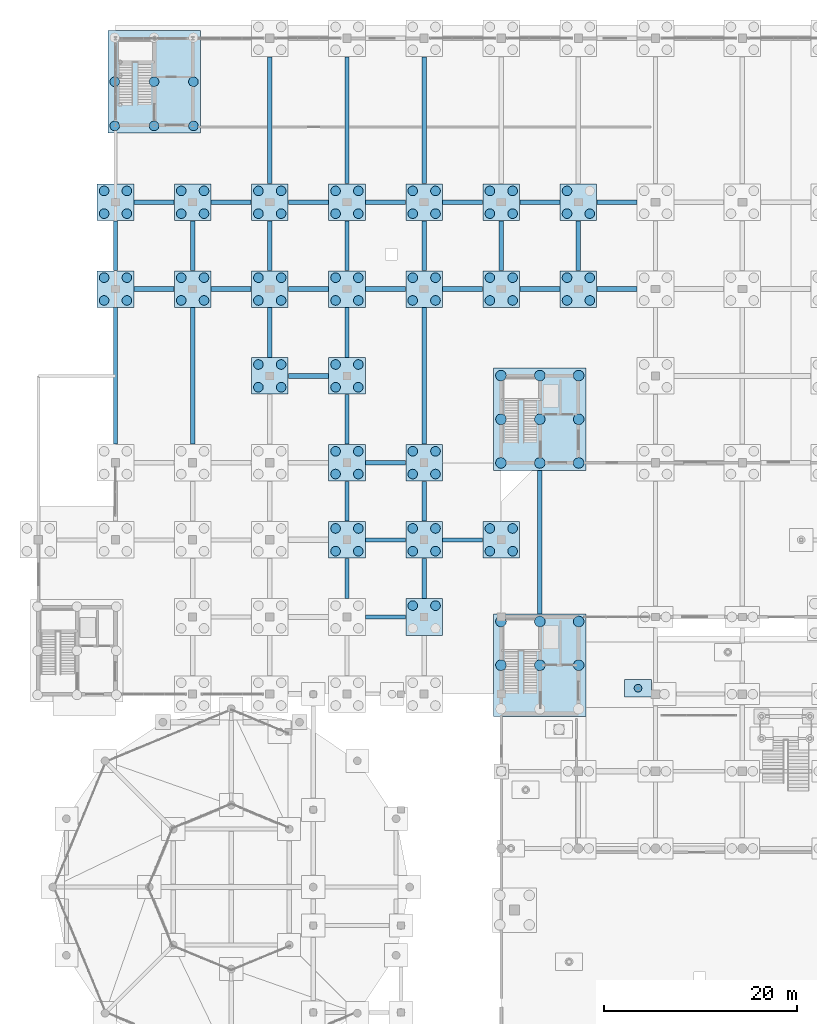
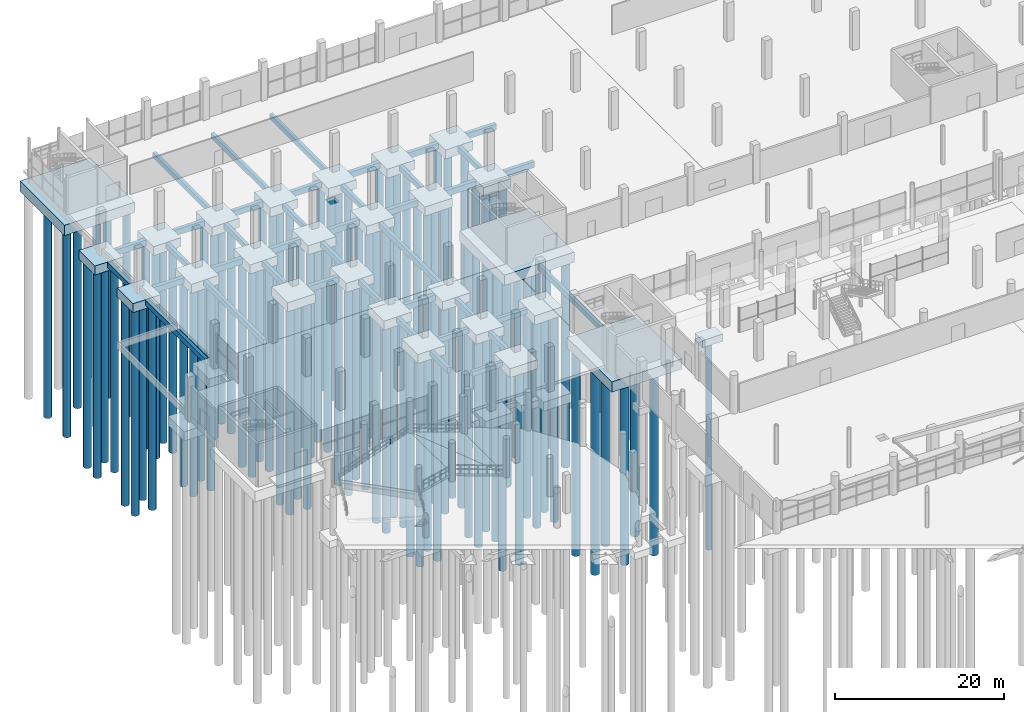
# One storey, part 4 of 98: 107 piles, 66 footings.
"""IFC4 building model written with IfcOpenShell, lengths in metres."""

from ifc_helpers import new_model, si_unit, derived_unit, direction, frame, origin, origin_2d, place, context, subcontext, project, spatial, rectangle, circle, extrude, material, layer, layer_set, material_profile, profile_set, type_object, element, save


model = new_model("IFC4")

# Units and contexts
model_context = context("Model", 3, precision=1e-05, world=origin(), true_north=direction((0.0, 1.0)))
body_context = subcontext(model_context, "Body", "Model", "MODEL_VIEW")
ifc_project = project(units=[si_unit("LENGTHUNIT", "METRE"), si_unit("AREAUNIT", "SQUARE_METRE"), si_unit("VOLUMEUNIT", "CUBIC_METRE"), si_unit("PLANEANGLEUNIT", "RADIAN"), si_unit("MASSUNIT", "GRAM", prefix="KILO"), si_unit("THERMODYNAMICTEMPERATUREUNIT", "KELVIN"), derived_unit("THERMALTRANSMITTANCEUNIT", [(si_unit("POWERUNIT", "WATT"), 1), (si_unit("AREAUNIT", "SQUARE_METRE"), -1), (si_unit("THERMODYNAMICTEMPERATUREUNIT", "KELVIN"), -1)])], contexts=[model_context])

# Site, building, storey
site_placement = place(None, origin())
site = spatial("IfcSite", under=ifc_project, at=site_placement, CompositionType="ELEMENT")
building_placement = place(site_placement, origin())
building = spatial("IfcBuilding", under=site, at=building_placement, Name="Haiyu Intermodal Mobility Hub", CompositionType="ELEMENT")
storey_placement = place(building_placement, origin())
storey = spatial("IfcBuildingStorey", under=building, at=storey_placement, Name="L00", CompositionType="ELEMENT", Elevation=0.0)

# Footings
ifc_material = material(Name="Concrete C40", Category="concrete")
ifc_layer_1 = layer(ifc_material, 1.300048828125)
ifc_layer_set_1 = layer_set([ifc_layer_1], Name="Concrete C40")
footing_type_1 = type_object("IfcFootingType", Name="CAP-PC03", PredefinedType="PILE_CAP", material=ifc_layer_set_1)
for number, where, z_axis, x_axis, name in (
    (1, (22.0, 122.0, -2.2001953125), (0.0, 0.0, 1.0), (1.0, 0.0, 0.0), "Pile Cap CAP-V4-2P"),
    (2, (22.0, 131.0, -2.2001953125), (0.0, 0.0, 1.0), (1.0, 0.0, 0.0), "Pile Cap CAP-V4-2Q"),
    (3, (30.0, 122.0, -2.2001953125), (0.0, 0.0, 1.0), (1.0, 0.0, 0.0), "Pile Cap CAP-V4-3P"),
    (4, (30.0, 131.0, -2.2001953125), (0.0, 0.0, 1.0), (1.0, 0.0, 0.0), "Pile Cap CAP-V4-3Q"),
    (5, (38.0, 122.0, -2.2001953125), (0.0, 0.0, 1.0), (1.0, 0.0, 0.0), "Pile Cap CAP-V4-4P"),
    (6, (38.0, 131.0, -2.2001953125), (0.0, 0.0, 1.0), (1.0, 0.0, 0.0), "Pile Cap CAP-V4-4Q"),
    (7, (46.0, 104.0, -2.2001953125), (0.0, 0.0, 1.0), (1.0, 0.0, 0.0), "Pile Cap CAP-V4-5M"),
    (8, (46.0, 122.0, -2.2001953125), (0.0, 0.0, 1.0), (1.0, 0.0, 0.0), "Pile Cap CAP-V4-5P"),
    (9, (46.0, 131.0, -2.2001953125), (0.0, 0.0, 1.0), (1.0, 0.0, 0.0), "Pile Cap CAP-V4-5Q"),
    (10, (54.0, 104.0, -2.2001953125), (0.0, 0.0, 1.0), (1.0, 0.0, 0.0), "Pile Cap CAP-V4-6M"),
    (11, (54.0, 122.0, -2.2001953125), (0.0, 0.0, 1.0), (1.0, 0.0, 0.0), "Pile Cap CAP-V4-6P"),
    (12, (54.0, 131.0, -2.2001953125), (0.0, 0.0, 1.0), (1.0, 0.0, 0.0), "Pile Cap CAP-V4-6Q"),
    (13, (62.0, 122.0, -2.2001953125), (0.0, 0.0, 1.0), (1.0, 0.0, 0.0), "Pile Cap CAP-V4-7P"),
    (14, (62.0, 131.0, -2.2001953125), (0.0, 0.0, 1.0), (1.0, 0.0, 0.0), "Pile Cap CAP-V4-7Q"),
    (15, (70.0, 122.0, -2.2001953125), (0.0, 0.0, 1.0), (1.0, 0.0, 0.0), "Pile Cap CAP-V4-8P"),
    (16, (70.0, 131.0, -2.2001953125), (0.0, 0.0, 1.0), (1.0, 0.0, 0.0), "Pile Cap CAP-V4-8Q"),
    (17, (38.0, 113.0, -2.2001953125), (0.0, 0.0, 1.0), (1.0, 0.0, 0.0), "Pile Cap CAP-V3S-4N"),
    (18, (46.0, 113.0, -2.2001953125), (0.0, 0.0, 1.0), (1.0, 0.0, 0.0), "Pile Cap CAP-V3S-5N"),
    (19, (46.0, 96.0, -2.2001953125), (0.0, 0.0, 1.0), (1.0, 0.0, 0.0), "Pile Cap CAP-V4W-5L"),
    (20, (54.0, 88.0, -2.2001953125), (0.0, 0.0, 1.0), (1.0, 0.0, 0.0), "Pile Cap CAP-V4W-6K"),
    (21, (54.0, 96.0, -2.2001953125), (0.0, 0.0, 1.0), (1.0, 0.0, 0.0), "Pile Cap CAP-V4W-6L"),
    (22, (62.0, 96.0, -2.2001953125), (0.0, 0.0, 1.0), (1.0, 0.0, 0.0), "Pile Cap CAP-V4W-7L"),
):
    element("IfcFooting", number, at=place(storey_placement, frame(where, z_axis=z_axis, x_axis=x_axis)), inside=storey, type_object=footing_type_1, Name=name, PredefinedType="PILE_CAP", context=body_context, shape_type="SweptSolid", body=[
        extrude(rectangle(XDim=3.800048828125, YDim=3.800048828125, at=origin_2d()), origin(), (0.0, 0.0, 1.0), 1.300048828125),
    ])
ifc_layer_2 = layer(ifc_material, 1.050048828125)
ifc_layer_set_2 = layer_set([ifc_layer_2], Name="Concrete C40")
footing_type_2 = type_object("IfcFootingType", Name="CAP-PC07", PredefinedType="PILE_CAP", material=ifc_layer_set_2)
footing_1_placement = place(storey_placement, frame((76.179931640625, 80.616943359375, -1.9501953125), z_axis=(0.0, 0.0, 1.0), x_axis=(1.0, 0.0, 0.0)))
element("IfcFooting", 23, at=footing_1_placement, inside=storey, type_object=footing_type_2, Name="Pile Cap CAP-RCOL-10", PredefinedType="PILE_CAP", context=body_context, shape_type="SweptSolid", body=[
    extrude(rectangle(XDim=2.800048828125, YDim=1.800048828125, at=origin_2d()), origin(), (0.0, 0.0, 1.0), 1.050048828125),
])
ifc_layer_3 = layer(ifc_material, 1.5)
ifc_layer_set_3 = layer_set([ifc_layer_3], Name="Concrete C40")
footing_type_3 = type_object("IfcFootingType", Name="CAP-PC16", PredefinedType="PILE_CAP", material=ifc_layer_set_3)
for number, where, z_axis, x_axis, name in (
    (24, (66.0, 83.0, -2.39990234375), (0.0, 0.0, 1.0), (1.0, 0.0, 0.0), "Pile Cap CAP-CORE-C1"),
    (25, (26.0, 143.5, -2.39990234375), (0.0, 0.0, 1.0), (1.0, 0.0, 0.0), "Pile Cap CAP-CORE-C3"),
    (26, (66.0, 108.5, -2.39990234375), (0.0, 0.0, 1.0), (1.0, 0.0, 0.0), "Pile Cap CAP-CORE-C5"),
):
    element("IfcFooting", number, at=place(storey_placement, frame(where, z_axis=z_axis, x_axis=x_axis)), inside=storey, type_object=footing_type_3, Name=name, PredefinedType="PILE_CAP", context=body_context, shape_type="SweptSolid", body=[
        extrude(rectangle(XDim=9.60009765625, YDim=10.60009765625, at=origin_2d()), origin(), (0.0, 0.0, 1.0), 1.5),
    ])
ifc_material_profile_1 = material_profile(ifc_material, rectangle(XDim=0.5, YDim=0.85009765625, at=origin_2d()), Name="FB500x850")
ifc_profile_set_1 = profile_set([ifc_material_profile_1], Name="Concrete C40")
footing_type_4 = type_object("IfcFootingType", Name="FBM-FB01", PredefinedType="FOOTING_BEAM", material=ifc_profile_set_1)
for number, where, z_axis, x_axis, name in (
    (27, (47.929931640625, 104.0, -1.324951171875), (1.0, 0.0, 0.0), (0.0, 1.0, 0.0), "Foundation Tie Beam FBM-X-143"),
    (28, (39.929931640625, 113.0, -1.324951171875), (1.0, 0.0, 0.0), (0.0, 1.0, 0.0), "Foundation Tie Beam FBM-X-156"),
    (29, (23.929931640625, 122.0, -1.324951171875), (1.0, 0.0, 0.0), (0.0, 1.0, 0.0), "Foundation Tie Beam FBM-X-165"),
    (30, (31.929931640625, 122.0, -1.324951171875), (1.0, 0.0, 0.0), (0.0, 1.0, 0.0), "Foundation Tie Beam FBM-X-166"),
    (31, (39.929931640625, 122.0, -1.324951171875), (1.0, 0.0, 0.0), (0.0, 1.0, 0.0), "Foundation Tie Beam FBM-X-167"),
    (32, (47.929931640625, 122.0, -1.324951171875), (1.0, 0.0, 0.0), (0.0, 1.0, 0.0), "Foundation Tie Beam FBM-X-168"),
    (33, (55.929931640625, 122.0, -1.324951171875), (1.0, 0.0, 0.0), (0.0, 1.0, 0.0), "Foundation Tie Beam FBM-X-169"),
    (34, (63.929931640625, 122.0, -1.324951171875), (1.0, 0.0, 0.0), (0.0, 1.0, 0.0), "Foundation Tie Beam FBM-X-170"),
    (35, (71.929931640625, 122.0, -1.324951171875), (1.0, 0.0, 0.0), (0.0, 1.0, 0.0), "Foundation Tie Beam FBM-X-171"),
    (36, (23.929931640625, 131.0, -1.324951171875), (1.0, 0.0, 0.0), (0.0, 1.0, 0.0), "Foundation Tie Beam FBM-X-185"),
    (37, (31.929931640625, 131.0, -1.324951171875), (1.0, 0.0, 0.0), (0.0, 1.0, 0.0), "Foundation Tie Beam FBM-X-186"),
    (38, (39.929931640625, 131.0, -1.324951171875), (1.0, 0.0, 0.0), (0.0, 1.0, 0.0), "Foundation Tie Beam FBM-X-187"),
    (39, (47.929931640625, 131.0, -1.324951171875), (1.0, 0.0, 0.0), (0.0, 1.0, 0.0), "Foundation Tie Beam FBM-X-188"),
    (40, (55.929931640625, 131.0, -1.324951171875), (1.0, 0.0, 0.0), (0.0, 1.0, 0.0), "Foundation Tie Beam FBM-X-189"),
    (41, (63.929931640625, 131.0, -1.324951171875), (1.0, 0.0, 0.0), (0.0, 1.0, 0.0), "Foundation Tie Beam FBM-X-190"),
    (42, (71.929931640625, 131.0, -1.324951171875), (1.0, 0.0, 0.0), (0.0, 1.0, 0.0), "Foundation Tie Beam FBM-X-191"),
):
    element("IfcFooting", number, at=place(storey_placement, frame(where, z_axis=z_axis, x_axis=x_axis)), inside=storey, type_object=footing_type_4, Name=name, PredefinedType="FOOTING_BEAM", context=body_context, shape_type="SweptSolid", body=[
        extrude(rectangle(XDim=0.5, YDim=0.85009765625, at=origin_2d()), origin(), (0.0, 0.0, 1.0), 4.14013671875),
    ])
ifc_material_profile_2 = material_profile(ifc_material, rectangle(XDim=0.449951171875, YDim=0.75, at=origin_2d()), Name="FB450x750")
ifc_profile_set_2 = profile_set([ifc_material_profile_2], Name="Concrete C40")
footing_type_5 = type_object("IfcFootingType", Name="FBM-FB02", PredefinedType="FOOTING_BEAM", material=ifc_profile_set_2)
footing_2_placement = place(storey_placement, frame((22.0, 105.929931640625, -1.27490234375), z_axis=(0.0, 1.0, 0.0), x_axis=(-1.0, 0.0, 0.0)))
element("IfcFooting", 43, at=footing_2_placement, inside=storey, type_object=footing_type_5, Name="Foundation Tie Beam FBM-Y-232", PredefinedType="FOOTING_BEAM", context=body_context, shape_type="SweptSolid", body=[
    extrude(rectangle(XDim=0.449951171875, YDim=0.75, at=origin_2d()), origin(), (0.0, 0.0, 1.0), 14.14013671875),
])
footing_3_placement = place(storey_placement, frame((22.0, 123.929931640625, -1.27490234375), z_axis=(0.0, 1.0, 0.0), x_axis=(-1.0, 0.0, 0.0)))
element("IfcFooting", 44, at=footing_3_placement, inside=storey, type_object=footing_type_5, Name="Foundation Tie Beam FBM-Y-233", PredefinedType="FOOTING_BEAM", context=body_context, shape_type="SweptSolid", body=[
    extrude(rectangle(XDim=0.449951171875, YDim=0.75, at=origin_2d()), origin(), (0.0, 0.0, 1.0), 5.14013671875),
])
footing_4_placement = place(storey_placement, frame((30.0, 105.929931640625, -1.27490234375), z_axis=(0.0, 1.0, 0.0), x_axis=(-1.0, 0.0, 0.0)))
element("IfcFooting", 45, at=footing_4_placement, inside=storey, type_object=footing_type_5, Name="Foundation Tie Beam FBM-Y-239", PredefinedType="FOOTING_BEAM", context=body_context, shape_type="SweptSolid", body=[
    extrude(rectangle(XDim=0.449951171875, YDim=0.75, at=origin_2d()), origin(), (0.0, 0.0, 1.0), 14.14013671875),
])
for number, where, z_axis, x_axis, name in (
    (46, (30.0, 123.929931640625, -1.27490234375), (0.0, 1.0, 0.0), (-1.0, 0.0, 0.0), "Foundation Tie Beam FBM-Y-240"),
    (47, (38.0, 114.929931640625, -1.27490234375), (0.0, 1.0, 0.0), (-1.0, 0.0, 0.0), "Foundation Tie Beam FBM-Y-249"),
    (48, (38.0, 123.929931640625, -1.27490234375), (0.0, 1.0, 0.0), (-1.0, 0.0, 0.0), "Foundation Tie Beam FBM-Y-250"),
):
    element("IfcFooting", number, at=place(storey_placement, frame(where, z_axis=z_axis, x_axis=x_axis)), inside=storey, type_object=footing_type_5, Name=name, PredefinedType="FOOTING_BEAM", context=body_context, shape_type="SweptSolid", body=[
        extrude(rectangle(XDim=0.449951171875, YDim=0.75, at=origin_2d()), origin(), (0.0, 0.0, 1.0), 5.14013671875),
    ])
footing_5_placement = place(storey_placement, frame((38.0, 132.929931640625, -1.27490234375), z_axis=(0.0, 1.0, 0.0), x_axis=(-1.0, 0.0, 0.0)))
element("IfcFooting", 49, at=footing_5_placement, inside=storey, type_object=footing_type_5, Name="Foundation Tie Beam FBM-Y-251", PredefinedType="FOOTING_BEAM", context=body_context, shape_type="SweptSolid", body=[
    extrude(rectangle(XDim=0.449951171875, YDim=0.75, at=origin_2d()), origin(), (0.0, 0.0, 1.0), 13.14013671875),
])
for number, where, z_axis, x_axis, name in (
    (50, (46.0, 89.929931640625, -1.27490234375), (0.0, 1.0, 0.0), (-1.0, 0.0, 0.0), "Foundation Tie Beam FBM-Y-259"),
    (51, (46.0, 97.929931640625, -1.27490234375), (0.0, 1.0, 0.0), (-1.0, 0.0, 0.0), "Foundation Tie Beam FBM-Y-260"),
):
    element("IfcFooting", number, at=place(storey_placement, frame(where, z_axis=z_axis, x_axis=x_axis)), inside=storey, type_object=footing_type_5, Name=name, PredefinedType="FOOTING_BEAM", context=body_context, shape_type="SweptSolid", body=[
        extrude(rectangle(XDim=0.449951171875, YDim=0.75, at=origin_2d()), origin(), (0.0, 0.0, 1.0), 4.14013671875),
    ])
for number, where, z_axis, x_axis, name in (
    (52, (46.0, 105.929931640625, -1.27490234375), (0.0, 1.0, 0.0), (-1.0, 0.0, 0.0), "Foundation Tie Beam FBM-Y-261"),
    (53, (46.0, 114.929931640625, -1.27490234375), (0.0, 1.0, 0.0), (-1.0, 0.0, 0.0), "Foundation Tie Beam FBM-Y-262"),
    (54, (46.0, 123.929931640625, -1.27490234375), (0.0, 1.0, 0.0), (-1.0, 0.0, 0.0), "Foundation Tie Beam FBM-Y-263"),
):
    element("IfcFooting", number, at=place(storey_placement, frame(where, z_axis=z_axis, x_axis=x_axis)), inside=storey, type_object=footing_type_5, Name=name, PredefinedType="FOOTING_BEAM", context=body_context, shape_type="SweptSolid", body=[
        extrude(rectangle(XDim=0.449951171875, YDim=0.75, at=origin_2d()), origin(), (0.0, 0.0, 1.0), 5.14013671875),
    ])
footing_6_placement = place(storey_placement, frame((46.0, 132.929931640625, -1.27490234375), z_axis=(0.0, 1.0, 0.0), x_axis=(-1.0, 0.0, 0.0)))
element("IfcFooting", 55, at=footing_6_placement, inside=storey, type_object=footing_type_5, Name="Foundation Tie Beam FBM-Y-264", PredefinedType="FOOTING_BEAM", context=body_context, shape_type="SweptSolid", body=[
    extrude(rectangle(XDim=0.449951171875, YDim=0.75, at=origin_2d()), origin(), (0.0, 0.0, 1.0), 13.14013671875),
])
for number, where, z_axis, x_axis, name in (
    (56, (54.0, 89.929931640625, -1.27490234375), (0.0, 1.0, 0.0), (-1.0, 0.0, 0.0), "Foundation Tie Beam FBM-Y-269"),
    (57, (54.0, 97.929931640625, -1.27490234375), (0.0, 1.0, 0.0), (-1.0, 0.0, 0.0), "Foundation Tie Beam FBM-Y-270"),
):
    element("IfcFooting", number, at=place(storey_placement, frame(where, z_axis=z_axis, x_axis=x_axis)), inside=storey, type_object=footing_type_5, Name=name, PredefinedType="FOOTING_BEAM", context=body_context, shape_type="SweptSolid", body=[
        extrude(rectangle(XDim=0.449951171875, YDim=0.75, at=origin_2d()), origin(), (0.0, 0.0, 1.0), 4.14013671875),
    ])
footing_7_placement = place(storey_placement, frame((54.0, 105.929931640625, -1.27490234375), z_axis=(0.0, 1.0, 0.0), x_axis=(-1.0, 0.0, 0.0)))
element("IfcFooting", 58, at=footing_7_placement, inside=storey, type_object=footing_type_5, Name="Foundation Tie Beam FBM-Y-271", PredefinedType="FOOTING_BEAM", context=body_context, shape_type="SweptSolid", body=[
    extrude(rectangle(XDim=0.449951171875, YDim=0.75, at=origin_2d()), origin(), (0.0, 0.0, 1.0), 14.14013671875),
])
footing_8_placement = place(storey_placement, frame((54.0, 123.929931640625, -1.27490234375), z_axis=(0.0, 1.0, 0.0), x_axis=(-1.0, 0.0, 0.0)))
element("IfcFooting", 59, at=footing_8_placement, inside=storey, type_object=footing_type_5, Name="Foundation Tie Beam FBM-Y-272", PredefinedType="FOOTING_BEAM", context=body_context, shape_type="SweptSolid", body=[
    extrude(rectangle(XDim=0.449951171875, YDim=0.75, at=origin_2d()), origin(), (0.0, 0.0, 1.0), 5.14013671875),
])
footing_9_placement = place(storey_placement, frame((54.0, 132.929931640625, -1.27490234375), z_axis=(0.0, 1.0, 0.0), x_axis=(-1.0, 0.0, 0.0)))
element("IfcFooting", 60, at=footing_9_placement, inside=storey, type_object=footing_type_5, Name="Foundation Tie Beam FBM-Y-273", PredefinedType="FOOTING_BEAM", context=body_context, shape_type="SweptSolid", body=[
    extrude(rectangle(XDim=0.449951171875, YDim=0.75, at=origin_2d()), origin(), (0.0, 0.0, 1.0), 13.14013671875),
])
footing_10_placement = place(storey_placement, frame((62.0, 123.929931640625, -1.27490234375), z_axis=(0.0, 1.0, 0.0), x_axis=(-1.0, 0.0, 0.0)))
element("IfcFooting", 61, at=footing_10_placement, inside=storey, type_object=footing_type_5, Name="Foundation Tie Beam FBM-Y-274", PredefinedType="FOOTING_BEAM", context=body_context, shape_type="SweptSolid", body=[
    extrude(rectangle(XDim=0.449951171875, YDim=0.75, at=origin_2d()), origin(), (0.0, 0.0, 1.0), 5.14013671875),
])
footing_11_placement = place(storey_placement, frame((66.0, 88.330078125, -1.27490234375), z_axis=(0.0, 1.0, 0.0), x_axis=(-1.0, 0.0, 0.0)))
element("IfcFooting", 62, at=footing_11_placement, inside=storey, type_object=footing_type_5, Name="Foundation Tie Beam FBM-Y-276", PredefinedType="FOOTING_BEAM", context=body_context, shape_type="SweptSolid", body=[
    extrude(rectangle(XDim=0.449951171875, YDim=0.75, at=origin_2d()), origin(), (0.0, 0.0, 1.0), 14.83984375),
])
footing_12_placement = place(storey_placement, frame((70.0, 123.929931640625, -1.27490234375), z_axis=(0.0, 1.0, 0.0), x_axis=(-1.0, 0.0, 0.0)))
element("IfcFooting", 63, at=footing_12_placement, inside=storey, type_object=footing_type_5, Name="Foundation Tie Beam FBM-Y-278", PredefinedType="FOOTING_BEAM", context=body_context, shape_type="SweptSolid", body=[
    extrude(rectangle(XDim=0.449951171875, YDim=0.75, at=origin_2d()), origin(), (0.0, 0.0, 1.0), 5.14013671875),
])
ifc_material_profile_3 = material_profile(ifc_material, rectangle(XDim=0.39990234375, YDim=0.699951171875, at=origin_2d()), Name="FB400x700")
ifc_profile_set_3 = profile_set([ifc_material_profile_3], Name="Concrete C40")
footing_type_6 = type_object("IfcFootingType", Name="FBM-FB03", PredefinedType="FOOTING_BEAM", material=ifc_profile_set_3)
for number, where, z_axis, x_axis, name in (
    (64, (47.929931640625, 88.0, -1.25), (1.0, 0.0, 0.0), (0.0, 1.0, 0.0), "Foundation Tie Beam FBM-X-117"),
    (65, (47.929931640625, 96.0, -1.25), (1.0, 0.0, 0.0), (0.0, 1.0, 0.0), "Foundation Tie Beam FBM-X-129"),
    (66, (55.929931640625, 96.0, -1.25), (1.0, 0.0, 0.0), (0.0, 1.0, 0.0), "Foundation Tie Beam FBM-X-130"),
):
    element("IfcFooting", number, at=place(storey_placement, frame(where, z_axis=z_axis, x_axis=x_axis)), inside=storey, type_object=footing_type_6, Name=name, PredefinedType="FOOTING_BEAM", context=body_context, shape_type="SweptSolid", body=[
        extrude(rectangle(XDim=0.39990234375, YDim=0.699951171875, at=origin_2d()), origin(), (0.0, 0.0, 1.0), 4.14013671875),
    ])

# Piles
ifc_material_profile_4 = material_profile(ifc_material, circle(Radius=0.550048828125, at=origin_2d()), Name="PILE-D1100")
ifc_profile_set_4 = profile_set([ifc_material_profile_4], Name="Concrete C40")
pile_type_1 = type_object("IfcPileType", Name="PILE-PL01", PredefinedType="BORED", material=ifc_profile_set_4)
for number, where, z_axis, x_axis, name in (
    (67, (61.969970703125, 83.0, -2.300048828125), (0.0, 0.0, -1.0), (1.0, 0.0, 0.0), "Bored Pile CAP-CORE-C1-P2"),
    (68, (61.969970703125, 87.530029296875, -2.300048828125), (0.0, 0.0, -1.0), (1.0, 0.0, 0.0), "Bored Pile CAP-CORE-C1-P3"),
    (69, (66.0, 83.0, -2.300048828125), (0.0, 0.0, -1.0), (1.0, 0.0, 0.0), "Bored Pile CAP-CORE-C1-P5"),
    (70, (66.0, 87.530029296875, -2.300048828125), (0.0, 0.0, -1.0), (1.0, 0.0, 0.0), "Bored Pile CAP-CORE-C1-P6"),
    (71, (70.030029296875, 83.0, -2.300048828125), (0.0, 0.0, -1.0), (1.0, 0.0, 0.0), "Bored Pile CAP-CORE-C1-P8"),
    (72, (70.030029296875, 87.530029296875, -2.300048828125), (0.0, 0.0, -1.0), (1.0, 0.0, 0.0), "Bored Pile CAP-CORE-C1-P9"),
    (73, (61.969970703125, 103.969970703125, -2.300048828125), (0.0, 0.0, -1.0), (1.0, 0.0, 0.0), "Bored Pile CAP-CORE-C5-P1"),
    (74, (61.969970703125, 108.5, -2.300048828125), (0.0, 0.0, -1.0), (1.0, 0.0, 0.0), "Bored Pile CAP-CORE-C5-P2"),
    (75, (61.969970703125, 113.030029296875, -2.300048828125), (0.0, 0.0, -1.0), (1.0, 0.0, 0.0), "Bored Pile CAP-CORE-C5-P3"),
    (76, (66.0, 103.969970703125, -2.300048828125), (0.0, 0.0, -1.0), (1.0, 0.0, 0.0), "Bored Pile CAP-CORE-C5-P4"),
    (77, (66.0, 108.5, -2.300048828125), (0.0, 0.0, -1.0), (1.0, 0.0, 0.0), "Bored Pile CAP-CORE-C5-P5"),
    (78, (66.0, 113.030029296875, -2.300048828125), (0.0, 0.0, -1.0), (1.0, 0.0, 0.0), "Bored Pile CAP-CORE-C5-P6"),
    (79, (70.030029296875, 103.969970703125, -2.300048828125), (0.0, 0.0, -1.0), (1.0, 0.0, 0.0), "Bored Pile CAP-CORE-C5-P7"),
    (80, (70.030029296875, 108.5, -2.300048828125), (0.0, 0.0, -1.0), (1.0, 0.0, 0.0), "Bored Pile CAP-CORE-C5-P8"),
    (81, (70.030029296875, 113.030029296875, -2.300048828125), (0.0, 0.0, -1.0), (1.0, 0.0, 0.0), "Bored Pile CAP-CORE-C5-P9"),
):
    element("IfcPile", number, at=place(storey_placement, frame(where, z_axis=z_axis, x_axis=x_axis)), inside=storey, type_object=pile_type_1, Name=name, PredefinedType="BORED", context=body_context, shape_type="SweptSolid", body=[
        extrude(circle(Radius=0.550048828125, at=origin_2d()), origin(), (0.0, 0.0, 1.0), 29.699951171875),
    ])
ifc_material_profile_5 = material_profile(ifc_material, circle(Radius=0.5, at=origin_2d()), Name="PILE-D1000")
ifc_profile_set_5 = profile_set([ifc_material_profile_5], Name="Concrete C40")
pile_type_2 = type_object("IfcPileType", Name="PILE-PL02", PredefinedType="BORED", material=ifc_profile_set_5)
for number, where, z_axis, x_axis, name in (
    (82, (21.919921875, 138.919921875, -2.300048828125), (0.0, 0.0, -1.0), (1.0, 0.0, 0.0), "Bored Pile CAP-CORE-C3-P1"),
    (83, (21.919921875, 143.5, -2.300048828125), (0.0, 0.0, -1.0), (1.0, 0.0, 0.0), "Bored Pile CAP-CORE-C3-P2"),
    (84, (26.0, 138.919921875, -2.300048828125), (0.0, 0.0, -1.0), (1.0, 0.0, 0.0), "Bored Pile CAP-CORE-C3-P4"),
    (85, (26.0, 143.5, -2.300048828125), (0.0, 0.0, -1.0), (1.0, 0.0, 0.0), "Bored Pile CAP-CORE-C3-P5"),
    (86, (30.080078125, 138.919921875, -2.300048828125), (0.0, 0.0, -1.0), (1.0, 0.0, 0.0), "Bored Pile CAP-CORE-C3-P7"),
    (87, (30.080078125, 143.5, -2.300048828125), (0.0, 0.0, -1.0), (1.0, 0.0, 0.0), "Bored Pile CAP-CORE-C3-P8"),
):
    element("IfcPile", number, at=place(storey_placement, frame(where, z_axis=z_axis, x_axis=x_axis)), inside=storey, type_object=pile_type_2, Name=name, PredefinedType="BORED", context=body_context, shape_type="SweptSolid", body=[
        extrude(circle(Radius=0.5, at=origin_2d()), origin(), (0.0, 0.0, 1.0), 29.699951171875),
    ])
for number, where, z_axis, x_axis, name in (
    (88, (20.820068359375, 120.820068359375, -2.10009765625), (0.0, 0.0, -1.0), (1.0, 0.0, 0.0), "Bored Pile CAP-V4-2P-P1"),
    (89, (23.179931640625, 120.820068359375, -2.10009765625), (0.0, 0.0, -1.0), (1.0, 0.0, 0.0), "Bored Pile CAP-V4-2P-P2"),
    (90, (20.820068359375, 123.179931640625, -2.10009765625), (0.0, 0.0, -1.0), (1.0, 0.0, 0.0), "Bored Pile CAP-V4-2P-P3"),
    (91, (23.179931640625, 123.179931640625, -2.10009765625), (0.0, 0.0, -1.0), (1.0, 0.0, 0.0), "Bored Pile CAP-V4-2P-P4"),
    (92, (20.820068359375, 129.820068359375, -2.10009765625), (0.0, 0.0, -1.0), (1.0, 0.0, 0.0), "Bored Pile CAP-V4-2Q-P1"),
    (93, (23.179931640625, 129.820068359375, -2.10009765625), (0.0, 0.0, -1.0), (1.0, 0.0, 0.0), "Bored Pile CAP-V4-2Q-P2"),
    (94, (20.820068359375, 132.179931640625, -2.10009765625), (0.0, 0.0, -1.0), (1.0, 0.0, 0.0), "Bored Pile CAP-V4-2Q-P3"),
    (95, (23.179931640625, 132.179931640625, -2.10009765625), (0.0, 0.0, -1.0), (1.0, 0.0, 0.0), "Bored Pile CAP-V4-2Q-P4"),
    (96, (28.820068359375, 120.820068359375, -2.10009765625), (0.0, 0.0, -1.0), (1.0, 0.0, 0.0), "Bored Pile CAP-V4-3P-P1"),
    (97, (31.179931640625, 120.820068359375, -2.10009765625), (0.0, 0.0, -1.0), (1.0, 0.0, 0.0), "Bored Pile CAP-V4-3P-P2"),
    (98, (28.820068359375, 123.179931640625, -2.10009765625), (0.0, 0.0, -1.0), (1.0, 0.0, 0.0), "Bored Pile CAP-V4-3P-P3"),
    (99, (31.179931640625, 123.179931640625, -2.10009765625), (0.0, 0.0, -1.0), (1.0, 0.0, 0.0), "Bored Pile CAP-V4-3P-P4"),
    (100, (28.820068359375, 129.820068359375, -2.10009765625), (0.0, 0.0, -1.0), (1.0, 0.0, 0.0), "Bored Pile CAP-V4-3Q-P1"),
    (101, (31.179931640625, 129.820068359375, -2.10009765625), (0.0, 0.0, -1.0), (1.0, 0.0, 0.0), "Bored Pile CAP-V4-3Q-P2"),
    (102, (28.820068359375, 132.179931640625, -2.10009765625), (0.0, 0.0, -1.0), (1.0, 0.0, 0.0), "Bored Pile CAP-V4-3Q-P3"),
    (103, (31.179931640625, 132.179931640625, -2.10009765625), (0.0, 0.0, -1.0), (1.0, 0.0, 0.0), "Bored Pile CAP-V4-3Q-P4"),
    (104, (36.820068359375, 120.820068359375, -2.10009765625), (0.0, 0.0, -1.0), (1.0, 0.0, 0.0), "Bored Pile CAP-V4-4P-P1"),
    (105, (39.179931640625, 120.820068359375, -2.10009765625), (0.0, 0.0, -1.0), (1.0, 0.0, 0.0), "Bored Pile CAP-V4-4P-P2"),
    (106, (36.820068359375, 123.179931640625, -2.10009765625), (0.0, 0.0, -1.0), (1.0, 0.0, 0.0), "Bored Pile CAP-V4-4P-P3"),
    (107, (39.179931640625, 123.179931640625, -2.10009765625), (0.0, 0.0, -1.0), (1.0, 0.0, 0.0), "Bored Pile CAP-V4-4P-P4"),
    (108, (36.820068359375, 129.820068359375, -2.10009765625), (0.0, 0.0, -1.0), (1.0, 0.0, 0.0), "Bored Pile CAP-V4-4Q-P1"),
    (109, (39.179931640625, 129.820068359375, -2.10009765625), (0.0, 0.0, -1.0), (1.0, 0.0, 0.0), "Bored Pile CAP-V4-4Q-P2"),
    (110, (36.820068359375, 132.179931640625, -2.10009765625), (0.0, 0.0, -1.0), (1.0, 0.0, 0.0), "Bored Pile CAP-V4-4Q-P3"),
    (111, (39.179931640625, 132.179931640625, -2.10009765625), (0.0, 0.0, -1.0), (1.0, 0.0, 0.0), "Bored Pile CAP-V4-4Q-P4"),
    (112, (44.820068359375, 102.820068359375, -2.10009765625), (0.0, 0.0, -1.0), (1.0, 0.0, 0.0), "Bored Pile CAP-V4-5M-P1"),
    (113, (47.179931640625, 102.820068359375, -2.10009765625), (0.0, 0.0, -1.0), (1.0, 0.0, 0.0), "Bored Pile CAP-V4-5M-P2"),
    (114, (44.820068359375, 105.179931640625, -2.10009765625), (0.0, 0.0, -1.0), (1.0, 0.0, 0.0), "Bored Pile CAP-V4-5M-P3"),
    (115, (47.179931640625, 105.179931640625, -2.10009765625), (0.0, 0.0, -1.0), (1.0, 0.0, 0.0), "Bored Pile CAP-V4-5M-P4"),
    (116, (44.820068359375, 120.820068359375, -2.10009765625), (0.0, 0.0, -1.0), (1.0, 0.0, 0.0), "Bored Pile CAP-V4-5P-P1"),
    (117, (47.179931640625, 120.820068359375, -2.10009765625), (0.0, 0.0, -1.0), (1.0, 0.0, 0.0), "Bored Pile CAP-V4-5P-P2"),
    (118, (44.820068359375, 123.179931640625, -2.10009765625), (0.0, 0.0, -1.0), (1.0, 0.0, 0.0), "Bored Pile CAP-V4-5P-P3"),
    (119, (47.179931640625, 123.179931640625, -2.10009765625), (0.0, 0.0, -1.0), (1.0, 0.0, 0.0), "Bored Pile CAP-V4-5P-P4"),
    (120, (44.820068359375, 129.820068359375, -2.10009765625), (0.0, 0.0, -1.0), (1.0, 0.0, 0.0), "Bored Pile CAP-V4-5Q-P1"),
    (121, (47.179931640625, 129.820068359375, -2.10009765625), (0.0, 0.0, -1.0), (1.0, 0.0, 0.0), "Bored Pile CAP-V4-5Q-P2"),
    (122, (44.820068359375, 132.179931640625, -2.10009765625), (0.0, 0.0, -1.0), (1.0, 0.0, 0.0), "Bored Pile CAP-V4-5Q-P3"),
    (123, (47.179931640625, 132.179931640625, -2.10009765625), (0.0, 0.0, -1.0), (1.0, 0.0, 0.0), "Bored Pile CAP-V4-5Q-P4"),
    (124, (52.820068359375, 102.820068359375, -2.10009765625), (0.0, 0.0, -1.0), (1.0, 0.0, 0.0), "Bored Pile CAP-V4-6M-P1"),
    (125, (55.179931640625, 102.820068359375, -2.10009765625), (0.0, 0.0, -1.0), (1.0, 0.0, 0.0), "Bored Pile CAP-V4-6M-P2"),
    (126, (52.820068359375, 105.179931640625, -2.10009765625), (0.0, 0.0, -1.0), (1.0, 0.0, 0.0), "Bored Pile CAP-V4-6M-P3"),
    (127, (55.179931640625, 105.179931640625, -2.10009765625), (0.0, 0.0, -1.0), (1.0, 0.0, 0.0), "Bored Pile CAP-V4-6M-P4"),
    (128, (52.820068359375, 120.820068359375, -2.10009765625), (0.0, 0.0, -1.0), (1.0, 0.0, 0.0), "Bored Pile CAP-V4-6P-P1"),
    (129, (55.179931640625, 120.820068359375, -2.10009765625), (0.0, 0.0, -1.0), (1.0, 0.0, 0.0), "Bored Pile CAP-V4-6P-P2"),
    (130, (52.820068359375, 123.179931640625, -2.10009765625), (0.0, 0.0, -1.0), (1.0, 0.0, 0.0), "Bored Pile CAP-V4-6P-P3"),
    (131, (55.179931640625, 123.179931640625, -2.10009765625), (0.0, 0.0, -1.0), (1.0, 0.0, 0.0), "Bored Pile CAP-V4-6P-P4"),
    (132, (52.820068359375, 129.820068359375, -2.10009765625), (0.0, 0.0, -1.0), (1.0, 0.0, 0.0), "Bored Pile CAP-V4-6Q-P1"),
    (133, (55.179931640625, 129.820068359375, -2.10009765625), (0.0, 0.0, -1.0), (1.0, 0.0, 0.0), "Bored Pile CAP-V4-6Q-P2"),
    (134, (52.820068359375, 132.179931640625, -2.10009765625), (0.0, 0.0, -1.0), (1.0, 0.0, 0.0), "Bored Pile CAP-V4-6Q-P3"),
    (135, (55.179931640625, 132.179931640625, -2.10009765625), (0.0, 0.0, -1.0), (1.0, 0.0, 0.0), "Bored Pile CAP-V4-6Q-P4"),
    (136, (60.820068359375, 120.820068359375, -2.10009765625), (0.0, 0.0, -1.0), (1.0, 0.0, 0.0), "Bored Pile CAP-V4-7P-P1"),
    (137, (63.179931640625, 120.820068359375, -2.10009765625), (0.0, 0.0, -1.0), (1.0, 0.0, 0.0), "Bored Pile CAP-V4-7P-P2"),
    (138, (60.820068359375, 123.179931640625, -2.10009765625), (0.0, 0.0, -1.0), (1.0, 0.0, 0.0), "Bored Pile CAP-V4-7P-P3"),
    (139, (63.179931640625, 123.179931640625, -2.10009765625), (0.0, 0.0, -1.0), (1.0, 0.0, 0.0), "Bored Pile CAP-V4-7P-P4"),
    (140, (60.820068359375, 129.820068359375, -2.10009765625), (0.0, 0.0, -1.0), (1.0, 0.0, 0.0), "Bored Pile CAP-V4-7Q-P1"),
    (141, (63.179931640625, 129.820068359375, -2.10009765625), (0.0, 0.0, -1.0), (1.0, 0.0, 0.0), "Bored Pile CAP-V4-7Q-P2"),
    (142, (60.820068359375, 132.179931640625, -2.10009765625), (0.0, 0.0, -1.0), (1.0, 0.0, 0.0), "Bored Pile CAP-V4-7Q-P3"),
    (143, (63.179931640625, 132.179931640625, -2.10009765625), (0.0, 0.0, -1.0), (1.0, 0.0, 0.0), "Bored Pile CAP-V4-7Q-P4"),
    (144, (68.820068359375, 120.820068359375, -2.10009765625), (0.0, 0.0, -1.0), (1.0, 0.0, 0.0), "Bored Pile CAP-V4-8P-P1"),
    (145, (71.179931640625, 120.820068359375, -2.10009765625), (0.0, 0.0, -1.0), (1.0, 0.0, 0.0), "Bored Pile CAP-V4-8P-P2"),
    (146, (68.820068359375, 123.179931640625, -2.10009765625), (0.0, 0.0, -1.0), (1.0, 0.0, 0.0), "Bored Pile CAP-V4-8P-P3"),
    (147, (71.179931640625, 123.179931640625, -2.10009765625), (0.0, 0.0, -1.0), (1.0, 0.0, 0.0), "Bored Pile CAP-V4-8P-P4"),
    (148, (68.820068359375, 129.820068359375, -2.10009765625), (0.0, 0.0, -1.0), (1.0, 0.0, 0.0), "Bored Pile CAP-V4-8Q-P1"),
    (149, (71.179931640625, 129.820068359375, -2.10009765625), (0.0, 0.0, -1.0), (1.0, 0.0, 0.0), "Bored Pile CAP-V4-8Q-P2"),
    (150, (68.820068359375, 132.179931640625, -2.10009765625), (0.0, 0.0, -1.0), (1.0, 0.0, 0.0), "Bored Pile CAP-V4-8Q-P3"),
    (151, (36.820068359375, 111.820068359375, -2.10009765625), (0.0, 0.0, -1.0), (1.0, 0.0, 0.0), "Bored Pile CAP-V3S-4N-P1"),
    (152, (39.179931640625, 111.820068359375, -2.10009765625), (0.0, 0.0, -1.0), (1.0, 0.0, 0.0), "Bored Pile CAP-V3S-4N-P2"),
    (153, (36.820068359375, 114.179931640625, -2.10009765625), (0.0, 0.0, -1.0), (1.0, 0.0, 0.0), "Bored Pile CAP-V3S-4N-P3"),
    (154, (39.179931640625, 114.179931640625, -2.10009765625), (0.0, 0.0, -1.0), (1.0, 0.0, 0.0), "Bored Pile CAP-V3S-4N-P4"),
    (155, (44.820068359375, 111.820068359375, -2.10009765625), (0.0, 0.0, -1.0), (1.0, 0.0, 0.0), "Bored Pile CAP-V3S-5N-P1"),
    (156, (47.179931640625, 111.820068359375, -2.10009765625), (0.0, 0.0, -1.0), (1.0, 0.0, 0.0), "Bored Pile CAP-V3S-5N-P2"),
    (157, (44.820068359375, 114.179931640625, -2.10009765625), (0.0, 0.0, -1.0), (1.0, 0.0, 0.0), "Bored Pile CAP-V3S-5N-P3"),
    (158, (47.179931640625, 114.179931640625, -2.10009765625), (0.0, 0.0, -1.0), (1.0, 0.0, 0.0), "Bored Pile CAP-V3S-5N-P4"),
    (159, (44.820068359375, 94.820068359375, -2.10009765625), (0.0, 0.0, -1.0), (1.0, 0.0, 0.0), "Bored Pile CAP-V4W-5L-P1"),
    (160, (47.179931640625, 94.820068359375, -2.10009765625), (0.0, 0.0, -1.0), (1.0, 0.0, 0.0), "Bored Pile CAP-V4W-5L-P2"),
    (161, (44.820068359375, 97.179931640625, -2.10009765625), (0.0, 0.0, -1.0), (1.0, 0.0, 0.0), "Bored Pile CAP-V4W-5L-P3"),
    (162, (47.179931640625, 97.179931640625, -2.10009765625), (0.0, 0.0, -1.0), (1.0, 0.0, 0.0), "Bored Pile CAP-V4W-5L-P4"),
    (163, (52.820068359375, 89.179931640625, -2.10009765625), (0.0, 0.0, -1.0), (1.0, 0.0, 0.0), "Bored Pile CAP-V4W-6K-P3"),
    (164, (55.179931640625, 89.179931640625, -2.10009765625), (0.0, 0.0, -1.0), (1.0, 0.0, 0.0), "Bored Pile CAP-V4W-6K-P4"),
    (165, (52.820068359375, 94.820068359375, -2.10009765625), (0.0, 0.0, -1.0), (1.0, 0.0, 0.0), "Bored Pile CAP-V4W-6L-P1"),
    (166, (55.179931640625, 94.820068359375, -2.10009765625), (0.0, 0.0, -1.0), (1.0, 0.0, 0.0), "Bored Pile CAP-V4W-6L-P2"),
    (167, (52.820068359375, 97.179931640625, -2.10009765625), (0.0, 0.0, -1.0), (1.0, 0.0, 0.0), "Bored Pile CAP-V4W-6L-P3"),
    (168, (55.179931640625, 97.179931640625, -2.10009765625), (0.0, 0.0, -1.0), (1.0, 0.0, 0.0), "Bored Pile CAP-V4W-6L-P4"),
    (169, (60.820068359375, 94.820068359375, -2.10009765625), (0.0, 0.0, -1.0), (1.0, 0.0, 0.0), "Bored Pile CAP-V4W-7L-P1"),
    (170, (63.179931640625, 94.820068359375, -2.10009765625), (0.0, 0.0, -1.0), (1.0, 0.0, 0.0), "Bored Pile CAP-V4W-7L-P2"),
    (171, (60.820068359375, 97.179931640625, -2.10009765625), (0.0, 0.0, -1.0), (1.0, 0.0, 0.0), "Bored Pile CAP-V4W-7L-P3"),
    (172, (63.179931640625, 97.179931640625, -2.10009765625), (0.0, 0.0, -1.0), (1.0, 0.0, 0.0), "Bored Pile CAP-V4W-7L-P4"),
):
    element("IfcPile", number, at=place(storey_placement, frame(where, z_axis=z_axis, x_axis=x_axis)), inside=storey, type_object=pile_type_2, Name=name, PredefinedType="BORED", context=body_context, shape_type="SweptSolid", body=[
        extrude(circle(Radius=0.5, at=origin_2d()), origin(), (0.0, 0.0, 1.0), 29.89990234375),
    ])
ifc_material_profile_6 = material_profile(ifc_material, circle(Radius=0.39990234375, at=origin_2d()), Name="PILE-D800")
ifc_profile_set_6 = profile_set([ifc_material_profile_6], Name="Concrete C40")
pile_type_3 = type_object("IfcPileType", Name="PILE-PL04", PredefinedType="BORED", material=ifc_profile_set_6)
pile_placement = place(storey_placement, frame((76.179931640625, 80.616943359375, -1.85009765625), z_axis=(0.0, 0.0, -1.0), x_axis=(1.0, 0.0, 0.0)))
element("IfcPile", 173, at=pile_placement, inside=storey, type_object=pile_type_3, Name="Bored Pile CAP-RCOL-10-P1", PredefinedType="BORED", context=body_context, shape_type="SweptSolid", body=[
    extrude(circle(Radius=0.39990234375, at=origin_2d()), origin(), (0.0, 0.0, 1.0), 30.14990234375),
])

save(model, "model.ifc")
